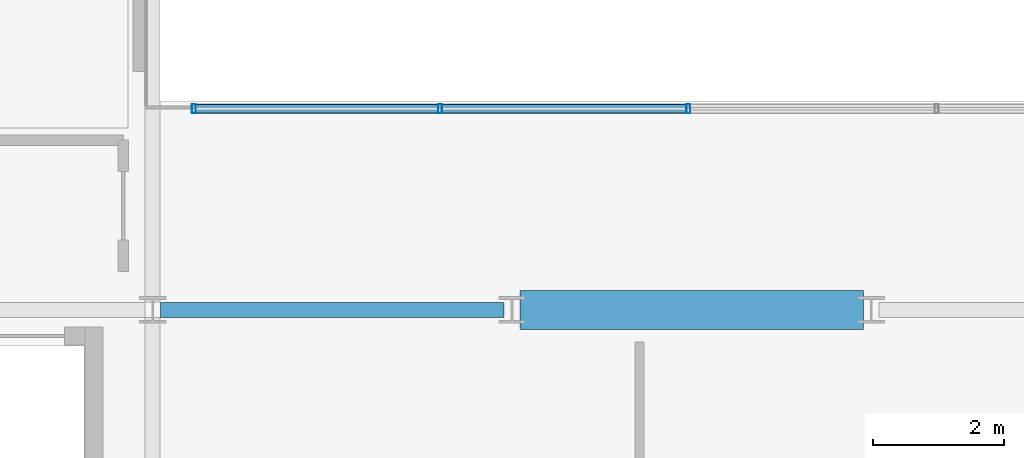
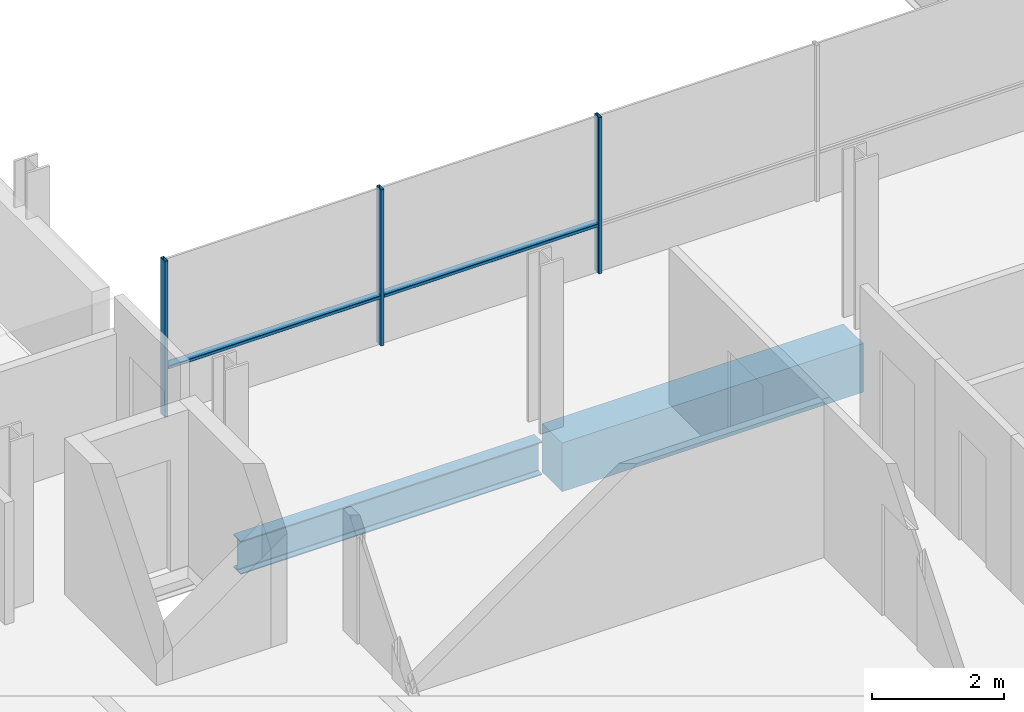
# One storey, part 6 of 39: 5 members, 2 beams, 1 element without a shape of its own.
"""IFC4 building model written with IfcOpenShell, lengths in metres."""

import ifcopenshell
import ifcopenshell.guid

model = None  # the IFC model being written
_history = None  # IfcOwnerHistory: only IFC2X3 demands one
_inside = {}  # id of a spatial element -> (the spatial element, [elements in it])
_under = {}  # id of a project, library or spatial element -> (it, [spatial elements below it])
_declared = {}  # id of a project -> (the project, [libraries it declares])
_typed = {}  # id of a type object -> (the type object, [elements of that type])
_made_of = {}  # id of a material, layer set ... -> (it, [elements and type objects made of it])


def new_model(schema):
    """Start an empty IFC model of exactly this schema.

    Asked for "IFC4X3", IfcOpenShell would pick the latest addendum, in which some entities
    have other attributes; the version numbers below select the first issue.
    IFC2X3 requires an IfcOwnerHistory on every rooted entity: one is made here for all.
    """
    global model, _history
    if schema == "IFC4X3":
        model = ifcopenshell.file(schema_version=(4, 3, 0, 0))
    else:
        model = ifcopenshell.file(schema=schema)
    _inside.clear()
    _under.clear()
    _declared.clear()
    _typed.clear()
    _made_of.clear()
    _history = None
    if model.schema == "IFC2X3":
        org = make("IfcOrganization", Name="unknown")
        user = make(
            "IfcPersonAndOrganization",
            ThePerson=make("IfcPerson", FamilyName="unknown"),
            TheOrganization=org,
        )
        app = make(
            "IfcApplication",
            ApplicationDeveloper=org,
            Version="unknown",
            ApplicationFullName="unknown",
            ApplicationIdentifier="unknown",
        )
        _history = make(
            "IfcOwnerHistory",
            OwningUser=user,
            OwningApplication=app,
            ChangeAction="ADDED",
            CreationDate=0,
        )
    return model


def make(cls, **values):
    """One entity of the class cls with the attributes given. An attribute that is None is left unset."""
    return model.create_entity(
        cls, **{name: value for name, value in values.items() if value is not None}
    )


def rooted(cls, **values):
    """An entity with a GlobalId (a new one), such as an element, a storey or a relation."""
    return make(cls, GlobalId=ifcopenshell.guid.new(), OwnerHistory=_history, **values)


def si_unit(unit_type, name, prefix=None):
    """IfcSIUnit, for example si_unit("LENGTHUNIT", "METRE", prefix="MILLI")."""
    return make("IfcSIUnit", UnitType=unit_type, Prefix=prefix, Name=name)


def assignment(units):
    """IfcUnitAssignment: the units of a project."""
    return None if units is None else make("IfcUnitAssignment", Units=units)


def point(xyz):
    """IfcCartesianPoint."""
    return None if xyz is None else make("IfcCartesianPoint", Coordinates=xyz)


def direction(xyz):
    """IfcDirection."""
    return None if xyz is None else make("IfcDirection", DirectionRatios=xyz)


def frame(location, z_axis=None, x_axis=None):
    """IfcAxis2Placement3D, a coordinate frame: its origin and axes. An axis left out is left unset."""
    return make(
        "IfcAxis2Placement3D",
        Location=point(location),
        Axis=direction(z_axis),
        RefDirection=direction(x_axis),
    )


def frame_2d(location, x_axis=None):
    """IfcAxis2Placement2D, a coordinate frame in the plane: its origin and x axis."""
    return make(
        "IfcAxis2Placement2D", Location=point(location), RefDirection=direction(x_axis)
    )


def origin():
    """The frame at (0, 0, 0) with its axes left unset."""
    return frame((0.0, 0.0, 0.0))


def origin_2d():
    """The frame at (0, 0) in the plane with its x axis left unset."""
    return frame_2d((0.0, 0.0))


def place(relative_to, where):
    """IfcLocalPlacement: puts the frame where relative to a parent placement (None: the world)."""
    return make(
        "IfcLocalPlacement", PlacementRelTo=relative_to, RelativePlacement=where
    )


def context(
    kind, dimensions, precision=None, world=None, true_north=None, identifier=None
):
    """IfcGeometricRepresentationContext, for example the 3D "Model" context."""
    return make(
        "IfcGeometricRepresentationContext",
        ContextIdentifier=identifier,
        ContextType=kind,
        CoordinateSpaceDimension=dimensions,
        Precision=precision,
        WorldCoordinateSystem=world,
        TrueNorth=true_north,
    )


def subcontext(parent, identifier, kind, view, scale=None):
    """IfcGeometricRepresentationSubContext, for example "Body" below "Model"."""
    return make(
        "IfcGeometricRepresentationSubContext",
        ContextIdentifier=identifier,
        ContextType=kind,
        ParentContext=parent,
        TargetScale=scale,
        TargetView=view,
    )


def project(units=None, contexts=None):
    """IfcProject with its units and contexts."""
    return rooted(
        "IfcProject",
        Name="project",
        RepresentationContexts=contexts,
        UnitsInContext=assignment(units),
    )


def spatial(cls, under=None, at=None, **own):
    """A site, building, storey or space (cls), placed at a placement, below another one or the project."""
    s = rooted(cls, ObjectPlacement=at, **own)
    if under is not None:
        _under.setdefault(under.id(), (under, []))[1].append(s)
    return s


def profile(cls, at=None, kind="AREA", **sizes):
    """A parametric profile (cls). Its sizes go by their IFC names, for example OverallWidth=200.0."""
    return make(cls, ProfileType=kind, Position=at, **sizes)


def rectangle(**sizes):
    """IfcRectangleProfileDef."""
    return profile("IfcRectangleProfileDef", **sizes)


def hollow_rectangle(**sizes):
    """IfcRectangleHollowProfileDef."""
    return profile("IfcRectangleHollowProfileDef", **sizes)


def i_section(**sizes):
    """IfcIShapeProfileDef."""
    return profile("IfcIShapeProfileDef", **sizes)


def extrude(swept, where, along, depth):
    """IfcExtrudedAreaSolid: the profile swept, set in the frame where, extruded along a direction by depth."""
    return make(
        "IfcExtrudedAreaSolid",
        SweptArea=swept,
        Position=where,
        ExtrudedDirection=direction(along),
        Depth=depth,
    )


def shape(context_of_items, identifier, shape_type, items):
    """IfcShapeRepresentation: the items that make up one representation, for example the "Body"."""
    return make(
        "IfcShapeRepresentation",
        ContextOfItems=context_of_items,
        RepresentationIdentifier=identifier,
        RepresentationType=shape_type,
        Items=items,
    )


def material(Name=None, Category=None):
    """IfcMaterial."""
    return make("IfcMaterial", Name=Name, Category=Category)


def layer(
    of_material, thickness, ventilated=None, Name=None, Category=None, Priority=None
):
    """IfcMaterialLayer: one layer of a wall or slab, of a material (None: an air gap)."""
    return make(
        "IfcMaterialLayer",
        Material=of_material,
        LayerThickness=thickness,
        IsVentilated=ventilated,
        Name=Name,
        Category=Category,
        Priority=Priority,
    )


def layer_set(layers, Name=None):
    """IfcMaterialLayerSet."""
    return make("IfcMaterialLayerSet", MaterialLayers=layers, LayerSetName=Name)


def material_profile(
    of_material, cross_section, Name=None, Category=None, Priority=None
):
    """IfcMaterialProfile: a cross section and its material."""
    return make(
        "IfcMaterialProfile",
        Name=Name,
        Material=of_material,
        Profile=cross_section,
        Priority=Priority,
        Category=Category,
    )


def profile_set(profiles, Name=None, composite=None):
    """IfcMaterialProfileSet."""
    return make(
        "IfcMaterialProfileSet",
        Name=Name,
        MaterialProfiles=profiles,
        CompositeProfile=composite,
    )


def made_of(thing, what):
    """Note that an element or type object is made of a material, layer set ...; save() writes the relation."""
    if what is not None:
        _made_of.setdefault(what.id(), (what, []))[1].append(thing)
    return thing


def type_object(cls, material=None, **own):
    """A type object (cls), such as IfcWallType, which elements share."""
    return made_of(rooted(cls, **own), material)


def element(
    cls,
    number,
    at=None,
    inside=None,
    cuts=None,
    type_object=None,
    material=None,
    context=None,
    identifier="Body",
    shape_type=None,
    held_by="IfcProductDefinitionShape",
    body=None,
    shapes=None,
    **own,
):
    """One element of the class cls, such as IfcWall. Its Tag is "e" and its number.

    at: its placement. inside: the storey or other place that contains it. cuts: it is an
    opening in that element (IfcRelVoidsElement). A single representation is given by context,
    identifier, shape_type and body (its items); several are given by shapes. held_by: the class
    of the entity that holds the representations. save() writes the other relations.
    """
    e = rooted(cls, Tag="e%d" % number, ObjectPlacement=at, **own)
    if body is not None:
        shapes = [shape(context, identifier, shape_type, body)]
    if shapes is not None:
        e.Representation = make(held_by, Representations=shapes)
    if inside is not None:
        _inside.setdefault(inside.id(), (inside, []))[1].append(e)
    if cuts is not None:
        rooted(
            "IfcRelVoidsElement", RelatingBuildingElement=cuts, RelatedOpeningElement=e
        )
    if type_object is not None:
        _typed.setdefault(type_object.id(), (type_object, []))[1].append(e)
    return made_of(e, material)


def aggregate(whole, parts):
    """IfcRelAggregates: a whole, such as a stair, and the parts it consists of."""
    return rooted("IfcRelAggregates", RelatingObject=whole, RelatedObjects=parts)


def save(model, path):
    """Write the relations noted so far, then the file.

    IfcRelAggregates (storeys below a building ...), IfcRelContainedInSpatialStructure (elements
    in a storey), IfcRelDefinesByType, IfcRelAssociatesMaterial and IfcRelDeclares: one each for
    every whole, place, type object, material and project.
    """
    for whole, parts in _under.values():
        aggregate(whole, parts)
    for where, things in _inside.values():
        rooted(
            "IfcRelContainedInSpatialStructure",
            RelatedElements=things,
            RelatingStructure=where,
        )
    for kind, things in _typed.values():
        rooted("IfcRelDefinesByType", RelatedObjects=things, RelatingType=kind)
    for what, things in _made_of.values():
        rooted("IfcRelAssociatesMaterial", RelatedObjects=things, RelatingMaterial=what)
    for by, libraries in _declared.values():
        rooted("IfcRelDeclares", RelatingContext=by, RelatedDefinitions=libraries)
    model.write(path)


model = new_model("IFC4")

# Units and contexts
model_context = context("Model", 3, precision=1e-05, world=origin(), true_north=direction((0.0, 1.0)))
body_context = subcontext(model_context, "Body", "Model", "MODEL_VIEW")
ifc_project = project(units=[si_unit("LENGTHUNIT", "METRE"), si_unit("AREAUNIT", "SQUARE_METRE"), si_unit("VOLUMEUNIT", "CUBIC_METRE"), si_unit("PLANEANGLEUNIT", "RADIAN"), si_unit("MASSUNIT", "GRAM", prefix="KILO")], contexts=[model_context])

# Site, building, storey
site_placement = place(None, origin())
site = spatial("IfcSite", under=ifc_project, at=site_placement, CompositionType="ELEMENT")
building_placement = place(site_placement, origin())
building = spatial("IfcBuilding", under=site, at=building_placement, Name="Brevholm Reach", CompositionType="ELEMENT")
storey_placement = place(building_placement, frame((0.0, 0.0, 154.199951171875)))
storey = spatial("IfcBuildingStorey", under=building, at=storey_placement, Name="L46", CompositionType="ELEMENT", Elevation=154.199951171875)

# Beams
ifc_material_1 = material(Name="Concrete C50/60", Category="concrete")
ifc_material_profile_1 = material_profile(ifc_material_1, rectangle(XDim=0.60009765625, YDim=0.89990234375, at=origin_2d()), Name="RC 600x900")
ifc_profile_set_1 = profile_set([ifc_material_profile_1], Name="Concrete C50/60")
beam_type_1 = type_object("IfcBeamType", Name="BM-CB600", PredefinedType="LINTEL", material=ifc_profile_set_1)
beam_1_placement = place(storey_placement, frame((27.3701171875, 10.0, -0.669921875), z_axis=(1.0, 0.0, 0.0), x_axis=(0.0, 1.0, 0.0)))
element("IfcBeam", 1, at=beam_1_placement, inside=storey, type_object=beam_type_1, Name="L46 CB-02 Framing Beam", PredefinedType="LINTEL", context=body_context, shape_type="SweptSolid", body=[
    extrude(rectangle(XDim=0.60009765625, YDim=0.89990234375, at=origin_2d()), origin(), (0.0, 0.0, 1.0), 5.259765625),
])
ifc_material_2 = material(Name="Structural Steel S355J2", Category="steel")
ifc_material_profile_2 = material_profile(ifc_material_2, i_section(OverallWidth=0.22900390625, OverallDepth=0.6123046875, WebThickness=0.011962890625, FlangeThickness=0.01953125, FilletRadius=0.0126953125, at=origin_2d()), Name="UKB 610x229x125")
ifc_profile_set_2 = profile_set([ifc_material_profile_2], Name="Structural Steel S355J2")
beam_type_2 = type_object("IfcBeamType", Name="BM-SP610", PredefinedType="SPANDREL", material=ifc_profile_set_2)
beam_2_placement = place(storey_placement, frame((21.8701171875, 10.0, -0.526123046875), z_axis=(1.0, 0.0, 0.0), x_axis=(0.0, 1.0, 0.0)))
element("IfcBeam", 2, at=beam_2_placement, inside=storey, type_object=beam_type_2, Name="L46 SP-01 Framing Beam", PredefinedType="SPANDREL", context=body_context, shape_type="SweptSolid", body=[
    extrude(i_section(OverallWidth=0.22900390625, OverallDepth=0.6123046875, WebThickness=0.011962890625, FlangeThickness=0.01953125, FilletRadius=0.0126953125, at=origin_2d()), origin(), (0.0, 0.0, 1.0), 5.259765625),
])

# Curtain wall, members
ifc_material_3 = material(Name="Dark Anodised Aluminium 6063-T6 and Solar-Control Glass", Category="aluminium")
ifc_layer = layer(ifc_material_3, 0.139892578125)
ifc_layer_set = layer_set([ifc_layer], Name="Dark Anodised Aluminium 6063-T6 and Solar-Control Glass")
curtain_wall_type = type_object("IfcCurtainWallType", Name="CW-02", PredefinedType="NOTDEFINED", material=ifc_layer_set)
curtain_wall_placement = place(storey_placement, origin())
curtain_wall = element("IfcCurtainWall", 3, at=curtain_wall_placement, inside=storey, type_object=curtain_wall_type, Name="L46 Curtain Wall CW-02", PredefinedType="NOTDEFINED")
ifc_material_4 = material(Name="Dark Anodised Aluminium 6063-T6", Category="aluminium")
ifc_material_profile_3 = material_profile(ifc_material_4, hollow_rectangle(XDim=0.06005859375, YDim=0.139892578125, WallThickness=0.0048828125, InnerFilletRadius=0.0048828125, OuterFilletRadius=0.010009765625, at=origin_2d()), Name="RHS 140x60x5")
ifc_profile_set_3 = profile_set([ifc_material_profile_3], Name="Dark Anodised Aluminium 6063-T6")
member_type_1 = type_object("IfcMemberType", Name="CWM-140", PredefinedType="MULLION", material=ifc_profile_set_3)
member_1_placement = place(storey_placement, frame((22.3798828125, 13.080078125, 0.0), z_axis=(0.0, 0.0, 1.0), x_axis=(1.0, 0.0, 0.0)))
member_1 = element("IfcMember", 4, at=member_1_placement, type_object=member_type_1, Name="CM-140 Mullion 1", PredefinedType="MULLION", context=body_context, shape_type="SweptSolid", body=[
    extrude(hollow_rectangle(XDim=0.06005859375, YDim=0.139892578125, WallThickness=0.0048828125, InnerFilletRadius=0.0048828125, OuterFilletRadius=0.010009765625, at=origin_2d()), origin(), (0.0, 0.0, 1.0), 2.880126953125),
])
member_2_placement = place(storey_placement, frame((26.14990234375, 13.080078125, 0.0), z_axis=(0.0, 0.0, 1.0), x_axis=(1.0, 0.0, 0.0)))
member_2 = element("IfcMember", 5, at=member_2_placement, type_object=member_type_1, Name="CM-140 Mullion 2", PredefinedType="MULLION", context=body_context, shape_type="SweptSolid", body=[
    extrude(hollow_rectangle(XDim=0.06005859375, YDim=0.139892578125, WallThickness=0.0048828125, InnerFilletRadius=0.0048828125, OuterFilletRadius=0.010009765625, at=origin_2d()), origin(), (0.0, 0.0, 1.0), 2.880126953125),
])
member_3_placement = place(storey_placement, frame((29.949951171875, 13.080078125, 0.0), z_axis=(0.0, 0.0, 1.0), x_axis=(1.0, 0.0, 0.0)))
member_3 = element("IfcMember", 6, at=member_3_placement, type_object=member_type_1, Name="CM-140 Mullion 3", PredefinedType="MULLION", context=body_context, shape_type="SweptSolid", body=[
    extrude(hollow_rectangle(XDim=0.06005859375, YDim=0.139892578125, WallThickness=0.0048828125, InnerFilletRadius=0.0048828125, OuterFilletRadius=0.010009765625, at=origin_2d()), origin(), (0.0, 0.0, 1.0), 2.880126953125),
])
ifc_material_5 = material(Name="Dark Anodised Aluminium 6063-T6", Category="aluminium")
ifc_material_profile_4 = material_profile(ifc_material_5, hollow_rectangle(XDim=0.06005859375, YDim=0.139892578125, WallThickness=0.0048828125, InnerFilletRadius=0.0048828125, OuterFilletRadius=0.010009765625, at=origin_2d()), Name="RHS 140x60x5")
ifc_profile_set_4 = profile_set([ifc_material_profile_4], Name="Dark Anodised Aluminium 6063-T6")
member_type_2 = type_object("IfcMemberType", Name="CWT-140", PredefinedType="NOTDEFINED", material=ifc_profile_set_4)
member_4_placement = place(storey_placement, frame((22.409912109375, 13.080078125, 0.900146484375), z_axis=(1.0, 0.0, 0.0), x_axis=(0.0, 0.0, 1.0)))
member_4 = element("IfcMember", 7, at=member_4_placement, type_object=member_type_2, Name="CT-140 Transom 1.1", ObjectType="TRANSOM", PredefinedType="USERDEFINED", context=body_context, shape_type="SweptSolid", body=[
    extrude(hollow_rectangle(XDim=0.06005859375, YDim=0.139892578125, WallThickness=0.0048828125, InnerFilletRadius=0.0048828125, OuterFilletRadius=0.010009765625, at=origin_2d()), origin(), (0.0, 0.0, 1.0), 3.710205078125),
])
member_5_placement = place(storey_placement, frame((26.179931640625, 13.080078125, 0.900146484375), z_axis=(1.0, 0.0, 0.0), x_axis=(0.0, 0.0, 1.0)))
member_5 = element("IfcMember", 8, at=member_5_placement, type_object=member_type_2, Name="CT-140 Transom 2.1", ObjectType="TRANSOM", PredefinedType="USERDEFINED", context=body_context, shape_type="SweptSolid", body=[
    extrude(hollow_rectangle(XDim=0.06005859375, YDim=0.139892578125, WallThickness=0.0048828125, InnerFilletRadius=0.0048828125, OuterFilletRadius=0.010009765625, at=origin_2d()), origin(), (0.0, 0.0, 1.0), 3.739990234375),
])
aggregate(curtain_wall, [member_1, member_2, member_3, member_4, member_5])

save(model, "model.ifc")
